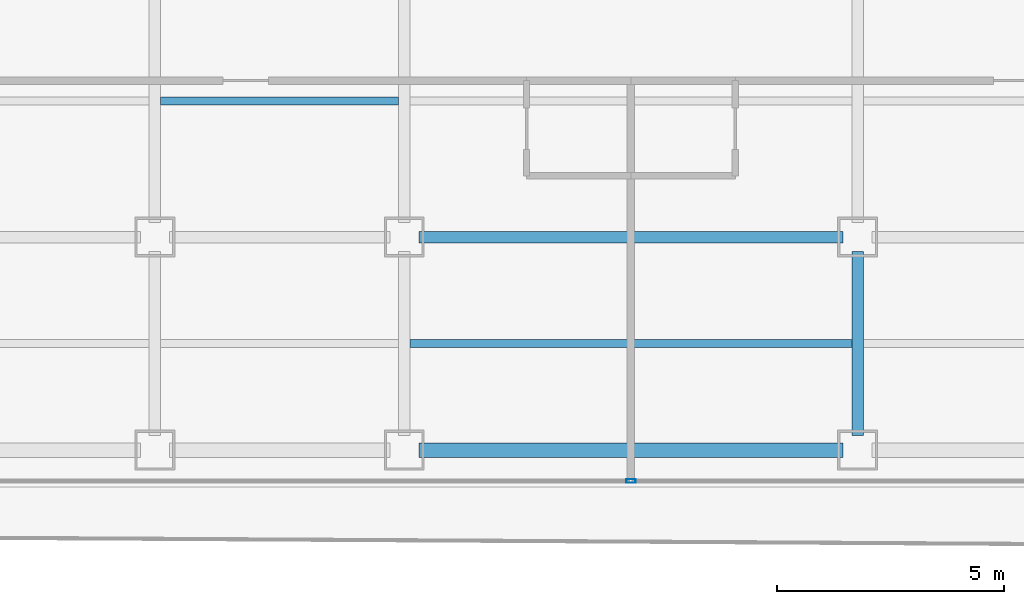
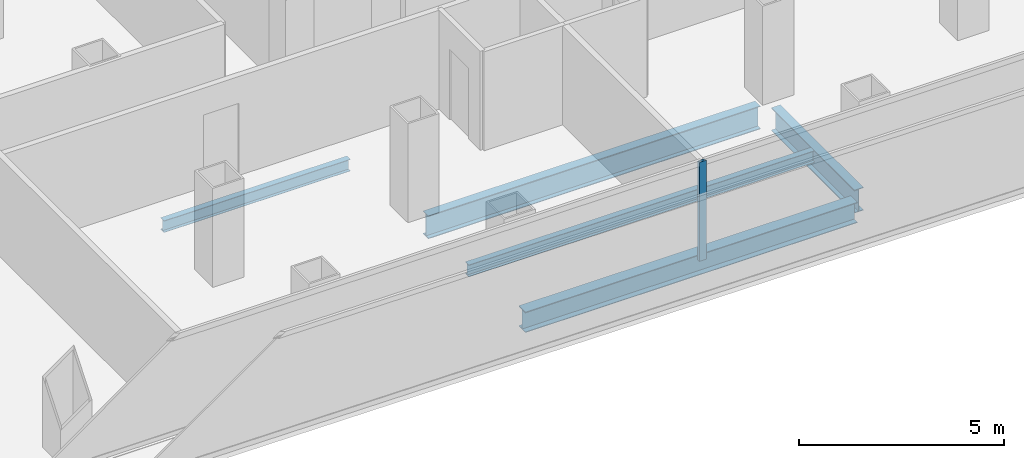
# One storey, part 4 of 21: 5 beams, 1 member, 1 element without a shape of its own.
"""IFC4 building model written with IfcOpenShell, lengths in metres."""

from ifc_helpers import new_model, si_unit, direction, frame, origin, origin_2d, place, context, subcontext, project, spatial, hollow_rectangle, i_section, extrude, source, transform, mapped, material, layer, layer_set, material_profile, profile_set, type_object, element, aggregate, save


model = new_model("IFC4")

# Units and contexts
model_context = context("Model", 3, precision=1e-05, world=origin(), true_north=direction((0.0, 1.0)))
body_context = subcontext(model_context, "Body", "Model", "MODEL_VIEW")
ifc_project = project(units=[si_unit("LENGTHUNIT", "METRE"), si_unit("AREAUNIT", "SQUARE_METRE"), si_unit("VOLUMEUNIT", "CUBIC_METRE"), si_unit("PLANEANGLEUNIT", "RADIAN"), si_unit("MASSUNIT", "GRAM", prefix="KILO")], contexts=[model_context])

# Site, building, storey
site_placement = place(None, origin())
site = spatial("IfcSite", under=ifc_project, at=site_placement, CompositionType="ELEMENT")
building_placement = place(site_placement, origin())
building = spatial("IfcBuilding", under=site, at=building_placement, Name="Kolveth Station Tower", CompositionType="ELEMENT")
storey_placement = place(building_placement, frame((0.0, 0.0, 137.5)))
storey = spatial("IfcBuildingStorey", under=building, at=storey_placement, Name="L38", CompositionType="ELEMENT", Elevation=137.5)

# Beams
ifc_material_1 = material(Name="Steel S355", Category="steel")
ifc_material_profile_1 = material_profile(ifc_material_1, i_section(OverallWidth=0.323974609375, OverallDepth=0.611083984375, WebThickness=0.0126953125, FlangeThickness=0.01904296875, at=origin_2d()), Name="W610x155")
ifc_profile_set_1 = profile_set([ifc_material_profile_1], Name="Steel S355")
beam_type_1 = type_object("IfcBeamType", Name="Beam_SP2", PredefinedType="SPANDREL", material=ifc_profile_set_1)
shared_shape_1 = source(origin(), body_context, "Body", "SweptSolid", [
    extrude(i_section(OverallWidth=0.323974609375, OverallDepth=0.611083984375, WebThickness=0.0126953125, FlangeThickness=0.01904296875, at=origin_2d()), origin(), (0.0, 0.0, 1.0), 9.35986328125),
])
beam_1_placement = place(storey_placement, frame((18.820068359375, 0.800048828125, -0.555419921875), z_axis=(1.0, 0.0, 0.0), x_axis=(0.0, 1.0, 0.0)))
element("IfcBeam", 1, at=beam_1_placement, inside=storey, type_object=beam_type_1, Name="L38 Perimeter Spandrel BM-L38-PS-3", PredefinedType="SPANDREL", context=body_context, shape_type="MappedRepresentation", body=[
    mapped(shared_shape_1, transform((0.0, 0.0, 0.0), x_axis=(1.0, 0.0, 0.0), y_axis=(0.0, 1.0, 0.0), z_axis=(0.0, 0.0, 1.0), scale=1.0)),
])
ifc_material_profile_2 = material_profile(ifc_material_1, i_section(OverallWidth=0.25390625, OverallDepth=0.68798828125, WebThickness=0.01318359375, FlangeThickness=0.02099609375, at=origin_2d()), Name="W690x152")
ifc_profile_set_2 = profile_set([ifc_material_profile_2], Name="Steel S355")
beam_type_2 = type_object("IfcBeamType", Name="Beam_B4", PredefinedType="BEAM", material=ifc_profile_set_2)
shared_shape_2 = source(origin(), body_context, "Body", "SweptSolid", [
    extrude(i_section(OverallWidth=0.25390625, OverallDepth=0.68798828125, WebThickness=0.01318359375, FlangeThickness=0.02099609375, at=origin_2d()), origin(), (0.0, 0.0, 1.0), 9.35986328125),
])
beam_2_placement = place(storey_placement, frame((18.820068359375, 5.5, -0.593994140625), z_axis=(1.0, 0.0, 0.0), x_axis=(0.0, 1.0, 0.0)))
element("IfcBeam", 2, at=beam_2_placement, inside=storey, type_object=beam_type_2, Name="L38 Primary Girder BM-L38-GY55-4", PredefinedType="BEAM", context=body_context, shape_type="MappedRepresentation", body=[
    mapped(shared_shape_2, transform((0.0, 0.0, 0.0), x_axis=(1.0, 0.0, 0.0), y_axis=(0.0, 1.0, 0.0), z_axis=(0.0, 0.0, 1.0), scale=1.0)),
])
shared_shape_3 = source(origin(), body_context, "Body", "SweptSolid", [
    extrude(i_section(OverallWidth=0.25390625, OverallDepth=0.68798828125, WebThickness=0.01318359375, FlangeThickness=0.02099609375, at=origin_2d()), origin(), (0.0, 0.0, 1.0), 4.059814453125),
])
beam_3_placement = place(storey_placement, frame((28.5, 1.1201171875, -0.593994140625), z_axis=(0.0, 1.0, 0.0), x_axis=(-1.0, 0.0, 0.0)))
element("IfcBeam", 3, at=beam_3_placement, inside=storey, type_object=beam_type_2, Name="L38 Primary Girder BM-L38-GX285-1", PredefinedType="BEAM", context=body_context, shape_type="MappedRepresentation", body=[
    mapped(shared_shape_3, transform((0.0, 0.0, 0.0), x_axis=(1.0, 0.0, 0.0), y_axis=(0.0, 1.0, 0.0), z_axis=(0.0, 0.0, 1.0), scale=1.0)),
])
ifc_material_profile_3 = material_profile(ifc_material_1, i_section(OverallWidth=0.1708984375, OverallDepth=0.35205078125, WebThickness=0.0068359375, FlangeThickness=0.009765625, at=origin_2d()), Name="W360x44")
ifc_profile_set_3 = profile_set([ifc_material_profile_3], Name="Steel S355")
beam_type_3 = type_object("IfcBeamType", Name="Beam_J2", PredefinedType="JOIST", material=ifc_profile_set_3)
shared_shape_4 = source(origin(), body_context, "Body", "SweptSolid", [
    extrude(i_section(OverallWidth=0.1708984375, OverallDepth=0.35205078125, WebThickness=0.0068359375, FlangeThickness=0.009765625, at=origin_2d()), origin(), (0.0, 0.0, 1.0), 5.25),
])
beam_4_placement = place(storey_placement, frame((13.125, 8.5, -0.426025390625), z_axis=(1.0, 0.0, 0.0), x_axis=(0.0, 1.0, 0.0)))
element("IfcBeam", 4, at=beam_4_placement, inside=storey, type_object=beam_type_3, Name="L38 Secondary Joist JST-L38-3-2", PredefinedType="JOIST", context=body_context, shape_type="MappedRepresentation", body=[
    mapped(shared_shape_4, transform((0.0, 0.0, 0.0), x_axis=(1.0, 0.0, 0.0), y_axis=(0.0, 1.0, 0.0), z_axis=(0.0, 0.0, 1.0), scale=1.0)),
])
shared_shape_5 = source(origin(), body_context, "Body", "SweptSolid", [
    extrude(i_section(OverallWidth=0.1708984375, OverallDepth=0.35205078125, WebThickness=0.0068359375, FlangeThickness=0.009765625, at=origin_2d()), origin(), (0.0, 0.0, 1.0), 9.75),
])
beam_5_placement = place(storey_placement, frame((18.625, 3.14990234375, -0.426025390625), z_axis=(1.0, 0.0, 0.0), x_axis=(0.0, 1.0, 0.0)))
element("IfcBeam", 5, at=beam_5_placement, inside=storey, type_object=beam_type_3, Name="L38 Secondary Joist JST-L38-4-1", PredefinedType="JOIST", context=body_context, shape_type="MappedRepresentation", body=[
    mapped(shared_shape_5, transform((0.0, 0.0, 0.0), x_axis=(1.0, 0.0, 0.0), y_axis=(0.0, 1.0, 0.0), z_axis=(0.0, 0.0, 1.0), scale=1.0)),
])

# Curtain wall, member
ifc_material_2 = material(Name="Aluminium 6063-T6 and low-E dark glass", Category="aluminium")
ifc_layer = layer(ifc_material_2, 0.18994140625)
ifc_layer_set = layer_set([ifc_layer], Name="Aluminium 6063-T6 and low-E dark glass")
curtain_wall_type = type_object("IfcCurtainWallType", Name="CurtainWall_CW-Z2", PredefinedType="NOTDEFINED", material=ifc_layer_set)
curtain_wall_placement = place(storey_placement, origin())
curtain_wall = element("IfcCurtainWall", 6, at=curtain_wall_placement, inside=storey, type_object=curtain_wall_type, Name="L38 Inner Thermal Curtain Wall 12", PredefinedType="NOTDEFINED")
ifc_material_3 = material(Name="Black anodized aluminium 6063-T6", Category="aluminium")
ifc_material_profile_4 = material_profile(ifc_material_3, hollow_rectangle(XDim=0.080078125, YDim=0.199951171875, WallThickness=0.0048828125, at=origin_2d()), Name="ALU-80x200x5")
ifc_profile_set_4 = profile_set([ifc_material_profile_4], Name="Black anodized aluminium 6063-T6")
member_type = type_object("IfcMemberType", Name="Mullion_ML2", PredefinedType="MULLION", material=ifc_profile_set_4)
shared_shape_6 = source(origin(), body_context, "Body", "SweptSolid", [
    extrude(hollow_rectangle(XDim=0.080078125, YDim=0.199951171875, WallThickness=0.0048828125, at=origin_2d()), origin(), (0.0, 0.0, 1.0), 2.949951171875),
])
member_placement = place(storey_placement, frame((23.5, 0.1201171875, 0.0), z_axis=(0.0, 0.0, 1.0), x_axis=(0.0, 1.0, 0.0)))
member = element("IfcMember", 7, at=member_placement, type_object=member_type, Name="CW-Z2 mullion 2", PredefinedType="MULLION", context=body_context, shape_type="MappedRepresentation", body=[
    mapped(shared_shape_6, transform((0.0, 0.0, 0.0), x_axis=(1.0, 0.0, 0.0), y_axis=(0.0, 1.0, 0.0), z_axis=(0.0, 0.0, 1.0), scale=1.0)),
])
aggregate(curtain_wall, [member])

save(model, "model.ifc")
